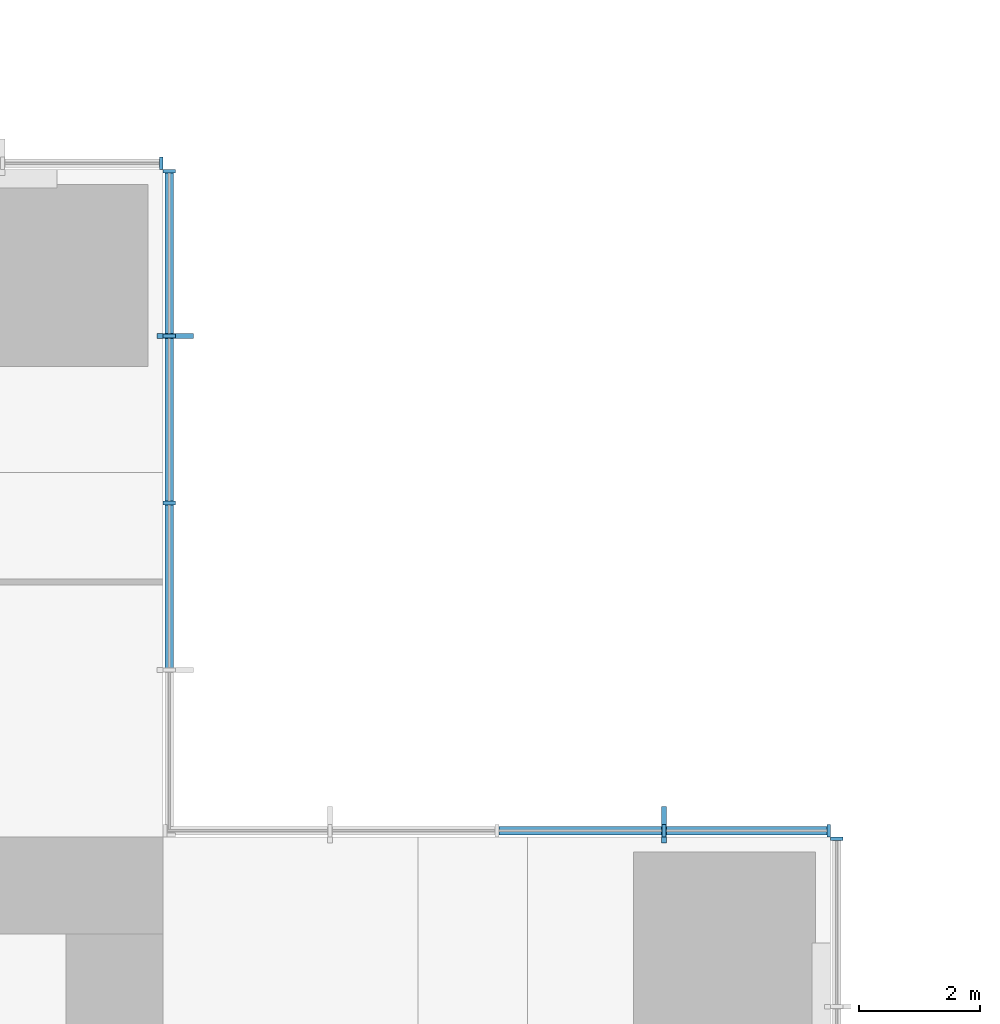
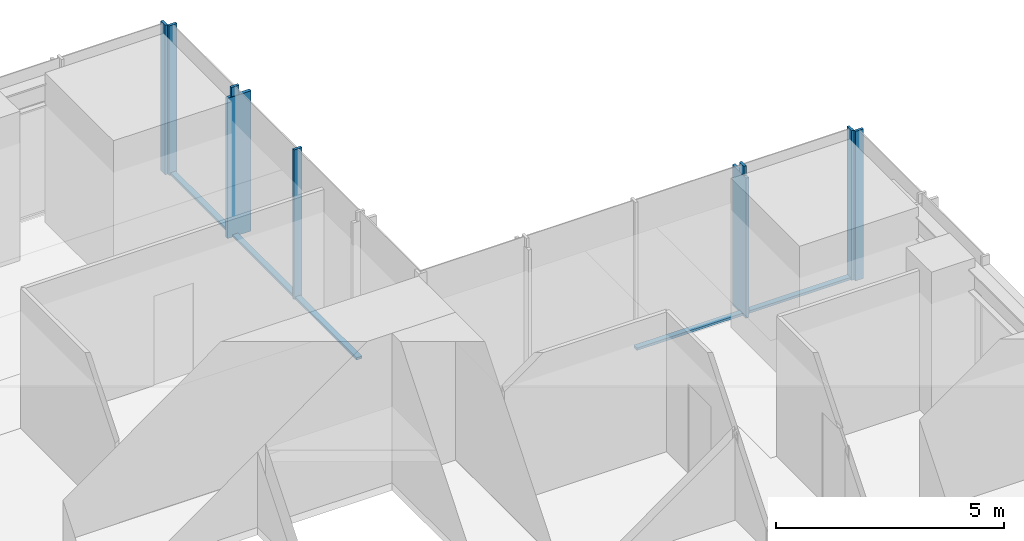
# One storey, part 6 of 13: 14 members, 4 elements without a shape of their own.
"""IFC4 building model written with IfcOpenShell, lengths in metres."""

from ifc_helpers import new_model, si_unit, direction, frame, origin, origin_2d, place, context, subcontext, project, spatial, rectangle, extrude, material, material_profile, profile_set, type_object, element, aggregate, save


model = new_model("IFC4")

# Units and contexts
model_context = context("Model", 3, precision=1e-05, world=origin(), true_north=direction((0.0, 1.0)))
body_context = subcontext(model_context, "Body", "Model", "MODEL_VIEW")
ifc_project = project(units=[si_unit("LENGTHUNIT", "METRE"), si_unit("AREAUNIT", "SQUARE_METRE"), si_unit("VOLUMEUNIT", "CUBIC_METRE"), si_unit("PLANEANGLEUNIT", "RADIAN"), si_unit("MASSUNIT", "GRAM", prefix="KILO")], contexts=[model_context])

# Site, building, storey
site_placement = place(None, origin())
site = spatial("IfcSite", under=ifc_project, at=site_placement, CompositionType="ELEMENT")
building_placement = place(site_placement, origin())
building = spatial("IfcBuilding", under=site, at=building_placement, Name="Svetlomir Tower", CompositionType="ELEMENT")
storey_placement = place(building_placement, frame((0.0, 0.0, 148.5)))
storey = spatial("IfcBuildingStorey", under=building, at=storey_placement, Name="L35", CompositionType="ELEMENT", Elevation=148.5)

# Curtain wall, member
ifc_material_1 = material(Name="Bronze anodised aluminium curtain wall", Category="aluminium")
curtain_wall_type = type_object("IfcCurtainWallType", Name="CURTAIN WALL CW1 TOWER OFFICE", PredefinedType="NOTDEFINED", material=ifc_material_1)
curtain_wall_1_placement = place(storey_placement, origin())
curtain_wall_1 = element("IfcCurtainWall", 1, at=curtain_wall_1_placement, inside=storey, type_object=curtain_wall_type, Name="Curtain wall CW1 L35", PredefinedType="NOTDEFINED")
ifc_material_2 = material(Name="Bronze anodised aluminium", Category="aluminium")
ifc_material_profile_1 = material_profile(ifc_material_2, rectangle(XDim=0.080078125, YDim=0.60009765625, at=origin_2d()), Name="FIN 80x600")
ifc_profile_set_1 = profile_set([ifc_material_profile_1], Name="Bronze anodised aluminium 6063-T6")
member_type_1 = type_object("IfcMemberType", Name="BRONZE FIN 80x600", PredefinedType="USERDEFINED", material=ifc_profile_set_1)
member_1_placement = place(storey_placement, frame((39.25, 31.199951171875, 0.0), z_axis=(0.0, 0.0, 1.0), x_axis=(1.0, 0.0, 0.0)))
member_1 = element("IfcMember", 2, at=member_1_placement, type_object=member_type_1, Name="Bronze fin L35", ObjectType="FIN", PredefinedType="USERDEFINED", context=body_context, shape_type="SweptSolid", body=[
    extrude(rectangle(XDim=0.080078125, YDim=0.60009765625, at=origin_2d()), origin(), (0.0, 0.0, 1.0), 3.75),
])

curtain_wall_2_placement = place(storey_placement, origin())
curtain_wall_2 = element("IfcCurtainWall", 3, at=curtain_wall_2_placement, inside=storey, type_object=curtain_wall_type, Name="Curtain wall CW1 L35", PredefinedType="NOTDEFINED")
member_2_placement = place(storey_placement, frame((31.199951171875, 39.25, 0.0), z_axis=(0.0, 0.0, 1.0), x_axis=(0.0, 1.0, 0.0)))
member_2 = element("IfcMember", 4, at=member_2_placement, type_object=member_type_1, Name="Bronze fin L35", ObjectType="FIN", PredefinedType="USERDEFINED", context=body_context, shape_type="SweptSolid", body=[
    extrude(rectangle(XDim=0.080078125, YDim=0.60009765625, at=origin_2d()), origin(), (0.0, 0.0, 1.0), 3.75),
])

curtain_wall_3_placement = place(storey_placement, origin())
curtain_wall_3 = element("IfcCurtainWall", 5, at=curtain_wall_3_placement, inside=storey, type_object=curtain_wall_type, Name="Curtain wall CW1 L35", PredefinedType="NOTDEFINED")
ifc_material_3 = material(Name="Bronze anodised aluminium", Category="aluminium")
ifc_material_profile_2 = material_profile(ifc_material_3, rectangle(XDim=0.06494140625, YDim=0.199951171875, at=origin_2d()), Name="AL 65x200")
ifc_profile_set_2 = profile_set([ifc_material_profile_2], Name="Bronze anodised aluminium 6063-T6")
member_type_2 = type_object("IfcMemberType", Name="CW1 MULLION 65x200", PredefinedType="MULLION", material=ifc_profile_set_2)
member_3_placement = place(storey_placement, frame((42.10009765625, 30.967529296875, 0.0), z_axis=(0.0, 0.0, 1.0), x_axis=(0.0, 1.0, 0.0)))
member_3 = element("IfcMember", 6, at=member_3_placement, type_object=member_type_2, Name="CW1 mullion 3", PredefinedType="MULLION", context=body_context, shape_type="SweptSolid", body=[
    extrude(rectangle(XDim=0.06494140625, YDim=0.199951171875, at=origin_2d()), origin(), (0.0, 0.0, 1.0), 4.0),
])
aggregate(curtain_wall_3, [member_3])

# Member
member_4_placement = place(storey_placement, frame((41.967529296875, 31.10009765625, 0.0), z_axis=(0.0, 0.0, 1.0), x_axis=(-1.0, 0.0, 0.0)))
member_4 = element("IfcMember", 7, at=member_4_placement, type_object=member_type_2, Name="CW1 mullion 1", PredefinedType="MULLION", context=body_context, shape_type="SweptSolid", body=[
    extrude(rectangle(XDim=0.06494140625, YDim=0.199951171875, at=origin_2d()), origin(), (0.0, 0.0, 1.0), 4.0),
])

member_5_placement = place(storey_placement, frame((39.25, 31.10009765625, 0.0), z_axis=(0.0, 0.0, 1.0), x_axis=(-1.0, 0.0, 0.0)))
member_5 = element("IfcMember", 8, at=member_5_placement, type_object=member_type_2, Name="CW1 mullion 2", PredefinedType="MULLION", context=body_context, shape_type="SweptSolid", body=[
    extrude(rectangle(XDim=0.06494140625, YDim=0.199951171875, at=origin_2d()), origin(), (0.0, 0.0, 1.0), 4.0),
])

member_6_placement = place(storey_placement, frame((31.10009765625, 36.5, 0.0), z_axis=(0.0, 0.0, 1.0), x_axis=(0.0, 1.0, 0.0)))
member_6 = element("IfcMember", 9, at=member_6_placement, type_object=member_type_2, Name="CW1 mullion 3", PredefinedType="MULLION", context=body_context, shape_type="SweptSolid", body=[
    extrude(rectangle(XDim=0.06494140625, YDim=0.199951171875, at=origin_2d()), origin(), (0.0, 0.0, 1.0), 4.0),
])

member_7_placement = place(storey_placement, frame((31.10009765625, 39.25, 0.0), z_axis=(0.0, 0.0, 1.0), x_axis=(0.0, 1.0, 0.0)))
member_7 = element("IfcMember", 10, at=member_7_placement, type_object=member_type_2, Name="CW1 mullion 4", PredefinedType="MULLION", context=body_context, shape_type="SweptSolid", body=[
    extrude(rectangle(XDim=0.06494140625, YDim=0.199951171875, at=origin_2d()), origin(), (0.0, 0.0, 1.0), 4.0),
])

member_8_placement = place(storey_placement, frame((31.10009765625, 41.967529296875, 0.0), z_axis=(0.0, 0.0, 1.0), x_axis=(0.0, 1.0, 0.0)))
member_8 = element("IfcMember", 11, at=member_8_placement, type_object=member_type_2, Name="CW1 mullion 5", PredefinedType="MULLION", context=body_context, shape_type="SweptSolid", body=[
    extrude(rectangle(XDim=0.06494140625, YDim=0.199951171875, at=origin_2d()), origin(), (0.0, 0.0, 1.0), 4.0),
])

# Curtain wall, member
curtain_wall_4_placement = place(storey_placement, origin())
curtain_wall_4 = element("IfcCurtainWall", 12, at=curtain_wall_4_placement, inside=storey, type_object=curtain_wall_type, Name="Curtain wall CW1 L35", PredefinedType="NOTDEFINED")
member_9_placement = place(storey_placement, frame((30.967529296875, 42.10009765625, 0.0), z_axis=(0.0, 0.0, 1.0), x_axis=(-1.0, 0.0, 0.0)))
member_9 = element("IfcMember", 13, at=member_9_placement, type_object=member_type_2, Name="CW1 mullion 1", PredefinedType="MULLION", context=body_context, shape_type="SweptSolid", body=[
    extrude(rectangle(XDim=0.06494140625, YDim=0.199951171875, at=origin_2d()), origin(), (0.0, 0.0, 1.0), 4.0),
])
aggregate(curtain_wall_4, [member_9])

# Member
ifc_material_4 = material(Name="Bronze anodised aluminium", Category="aluminium")
ifc_material_profile_3 = material_profile(ifc_material_4, rectangle(XDim=0.139892578125, YDim=0.06494140625, at=origin_2d()), Name="AL 140x65")
ifc_profile_set_3 = profile_set([ifc_material_profile_3], Name="Bronze anodised aluminium 6063-T6")
member_type_3 = type_object("IfcMemberType", Name="CW1 TRANSOM 65x140", PredefinedType="USERDEFINED", material=ifc_profile_set_3)
member_10_placement = place(storey_placement, frame((41.93505859375, 31.10009765625, 0.032470703125), z_axis=(-1.0, 0.0, 0.0), x_axis=(0.0, -1.0, 0.0)))
member_10 = element("IfcMember", 14, at=member_10_placement, type_object=member_type_3, Name="CW1 transom 1.1", ObjectType="TRANSOM", PredefinedType="USERDEFINED", context=body_context, shape_type="SweptSolid", body=[
    extrude(rectangle(XDim=0.139892578125, YDim=0.06494140625, at=origin_2d()), origin(), (0.0, 0.0, 1.0), 2.652587890625),
])

member_11_placement = place(storey_placement, frame((39.217529296875, 31.10009765625, 0.032470703125), z_axis=(-1.0, 0.0, 0.0), x_axis=(0.0, -1.0, 0.0)))
member_11 = element("IfcMember", 15, at=member_11_placement, type_object=member_type_3, Name="CW1 transom 2.1", ObjectType="TRANSOM", PredefinedType="USERDEFINED", context=body_context, shape_type="SweptSolid", body=[
    extrude(rectangle(XDim=0.139892578125, YDim=0.06494140625, at=origin_2d()), origin(), (0.0, 0.0, 1.0), 2.68505859375),
])

aggregate(curtain_wall_1, [member_4, member_5, member_10, member_11, member_1])

member_12_placement = place(storey_placement, frame((31.10009765625, 33.782470703125, 0.032470703125), z_axis=(0.0, 1.0, 0.0), x_axis=(-1.0, 0.0, 0.0)))
member_12 = element("IfcMember", 16, at=member_12_placement, type_object=member_type_3, Name="CW1 transom 2.1", ObjectType="TRANSOM", PredefinedType="USERDEFINED", context=body_context, shape_type="SweptSolid", body=[
    extrude(rectangle(XDim=0.139892578125, YDim=0.06494140625, at=origin_2d()), origin(), (0.0, 0.0, 1.0), 2.68505859375),
])

member_13_placement = place(storey_placement, frame((31.10009765625, 36.532470703125, 0.032470703125), z_axis=(0.0, 1.0, 0.0), x_axis=(-1.0, 0.0, 0.0)))
member_13 = element("IfcMember", 17, at=member_13_placement, type_object=member_type_3, Name="CW1 transom 3.1", ObjectType="TRANSOM", PredefinedType="USERDEFINED", context=body_context, shape_type="SweptSolid", body=[
    extrude(rectangle(XDim=0.139892578125, YDim=0.06494140625, at=origin_2d()), origin(), (0.0, 0.0, 1.0), 2.68505859375),
])

member_14_placement = place(storey_placement, frame((31.10009765625, 39.282470703125, 0.032470703125), z_axis=(0.0, 1.0, 0.0), x_axis=(-1.0, 0.0, 0.0)))
member_14 = element("IfcMember", 18, at=member_14_placement, type_object=member_type_3, Name="CW1 transom 4.1", ObjectType="TRANSOM", PredefinedType="USERDEFINED", context=body_context, shape_type="SweptSolid", body=[
    extrude(rectangle(XDim=0.139892578125, YDim=0.06494140625, at=origin_2d()), origin(), (0.0, 0.0, 1.0), 2.652587890625),
])

aggregate(curtain_wall_2, [member_6, member_7, member_8, member_12, member_13, member_14, member_2])

save(model, "model.ifc")
